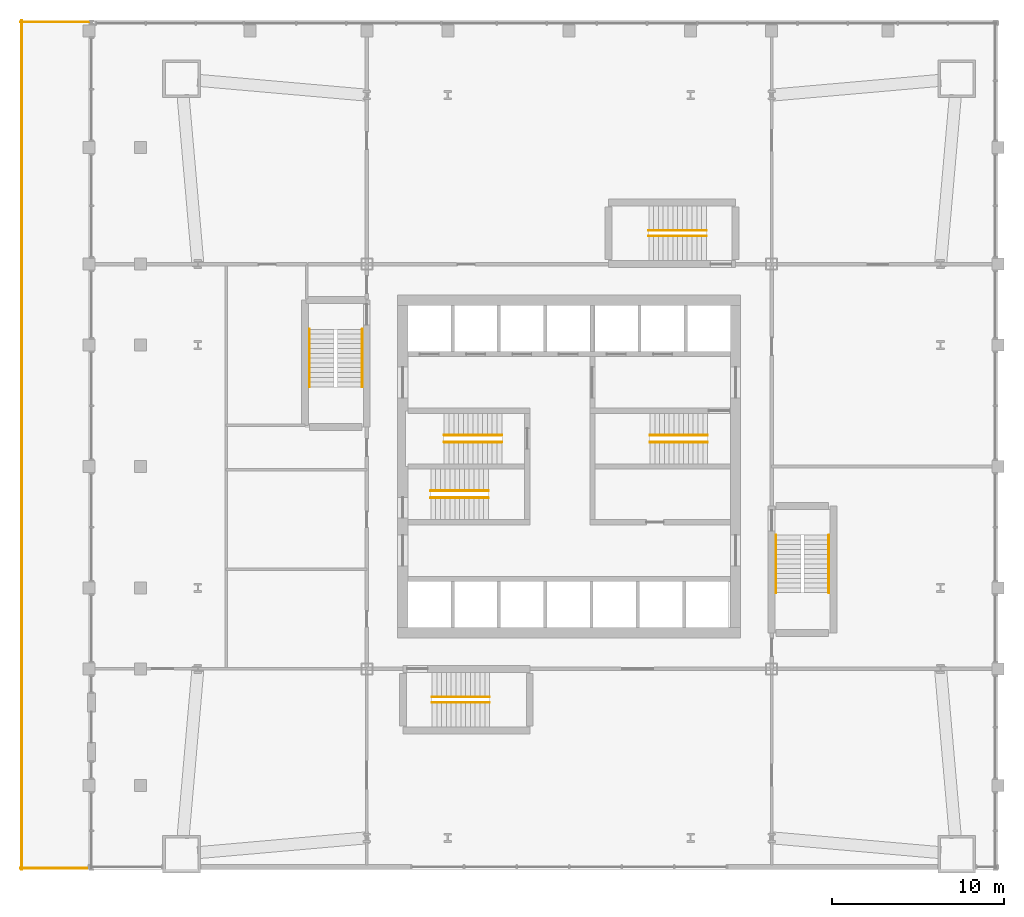
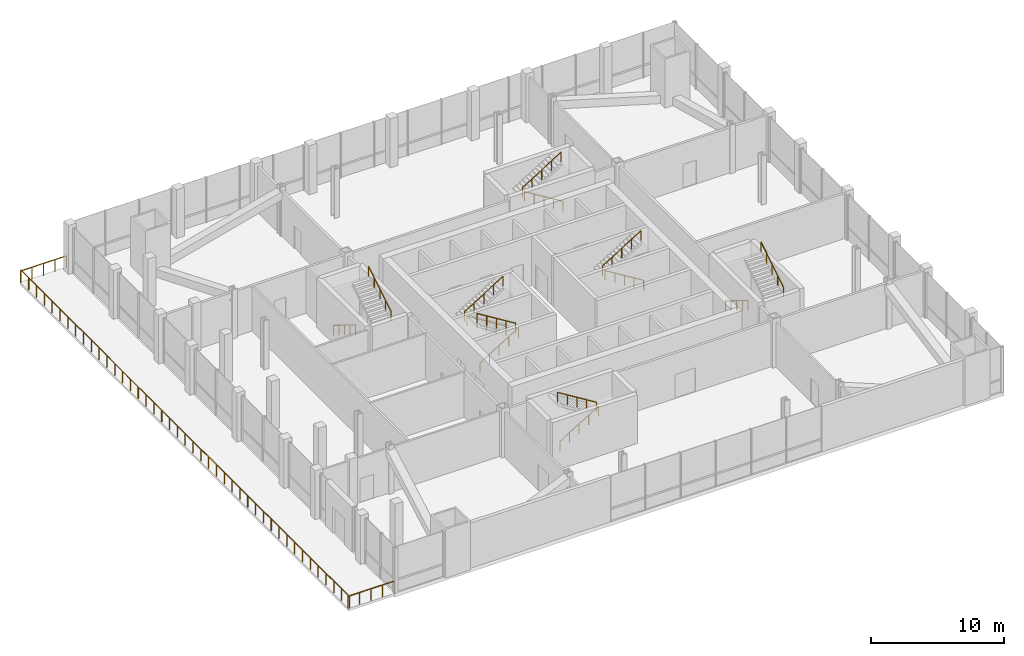
# One storey, part 15 of 15: 17 railings.
"""IFC4 building model written with IfcOpenShell, lengths in metres."""

from ifc_helpers import new_model, si_unit, direction, frame, origin, origin_2d, place, context, subcontext, project, spatial, circle, extrude, material, type_object, element, save


model = new_model("IFC4")

# Units and contexts
model_context = context("Model", 3, precision=1e-05, world=origin(), true_north=direction((0.0, 1.0)))
body_context = subcontext(model_context, "Body", "Model", "MODEL_VIEW")
ifc_project = project(units=[si_unit("LENGTHUNIT", "METRE"), si_unit("AREAUNIT", "SQUARE_METRE"), si_unit("VOLUMEUNIT", "CUBIC_METRE"), si_unit("PLANEANGLEUNIT", "RADIAN"), si_unit("MASSUNIT", "GRAM", prefix="KILO")], contexts=[model_context])

# Site, building, storey
site_placement = place(None, origin())
site = spatial("IfcSite", under=ifc_project, at=site_placement, CompositionType="ELEMENT")
building_placement = place(site_placement, origin())
building = spatial("IfcBuilding", under=site, at=building_placement, Name="Turquesa Mirador Hotel Tower", CompositionType="ELEMENT")
storey_placement = place(building_placement, frame((0.0, 0.0, 16.0)))
storey = spatial("IfcBuildingStorey", under=building, at=storey_placement, Name="L03", CompositionType="ELEMENT", Elevation=16.0)

# Railings
ifc_material_1 = material(Name="Bronze-finish steel and laminated glass", Category="steel")
railing_type_1 = type_object("IfcRailingType", Name="GUARD 1100 BRONZE AND GLASS", PredefinedType="GUARDRAIL", material=ifc_material_1)
railing_1_placement = place(storey_placement, frame((23.080078125, 21.5, 0.0)))
element("IfcRailing", 1, at=railing_1_placement, inside=storey, type_object=railing_type_1, Name="Terrace guard L03", PredefinedType="GUARDRAIL", context=body_context, shape_type="SweptSolid", body=[
    extrude(circle(Radius=0.02392578125, at=origin_2d()), frame((0.0, 0.0, 1.076171875), z_axis=(0.0, 1.0, 0.0), x_axis=(-1.0, 0.0, 0.0)), (0.0, 0.0, 1.0), 49.5),
    extrude(circle(Radius=0.02099609375, at=origin_2d()), origin(), (0.0, 0.0, 1.0), 1.052001953125),
    extrude(circle(Radius=0.02099609375, at=origin_2d()), frame((0.0, 1.178466796875, 0.0)), (0.0, 0.0, 1.0), 1.052001953125),
    extrude(circle(Radius=0.02099609375, at=origin_2d()), frame((0.0, 2.357177734375, 0.0)), (0.0, 0.0, 1.0), 1.052001953125),
    extrude(circle(Radius=0.02099609375, at=origin_2d()), frame((0.0, 3.53564453125, 0.0)), (0.0, 0.0, 1.0), 1.052001953125),
    extrude(circle(Radius=0.02099609375, at=origin_2d()), frame((0.0, 4.71435546875, 0.0)), (0.0, 0.0, 1.0), 1.052001953125),
    extrude(circle(Radius=0.02099609375, at=origin_2d()), frame((0.0, 5.892822265625, 0.0)), (0.0, 0.0, 1.0), 1.052001953125),
    extrude(circle(Radius=0.02099609375, at=origin_2d()), frame((0.0, 7.071533203125, 0.0)), (0.0, 0.0, 1.0), 1.052001953125),
    extrude(circle(Radius=0.02099609375, at=origin_2d()), frame((0.0, 8.25, 0.0)), (0.0, 0.0, 1.0), 1.052001953125),
    extrude(circle(Radius=0.02099609375, at=origin_2d()), frame((0.0, 9.428466796875, 0.0)), (0.0, 0.0, 1.0), 1.052001953125),
    extrude(circle(Radius=0.02099609375, at=origin_2d()), frame((0.0, 10.607177734375, 0.0)), (0.0, 0.0, 1.0), 1.052001953125),
    extrude(circle(Radius=0.02099609375, at=origin_2d()), frame((0.0, 11.78564453125, 0.0)), (0.0, 0.0, 1.0), 1.052001953125),
    extrude(circle(Radius=0.02099609375, at=origin_2d()), frame((0.0, 12.96435546875, 0.0)), (0.0, 0.0, 1.0), 1.052001953125),
    extrude(circle(Radius=0.02099609375, at=origin_2d()), frame((0.0, 14.142822265625, 0.0)), (0.0, 0.0, 1.0), 1.052001953125),
    extrude(circle(Radius=0.02099609375, at=origin_2d()), frame((0.0, 15.321533203125, 0.0)), (0.0, 0.0, 1.0), 1.052001953125),
    extrude(circle(Radius=0.02099609375, at=origin_2d()), frame((0.0, 16.5, 0.0)), (0.0, 0.0, 1.0), 1.052001953125),
    extrude(circle(Radius=0.02099609375, at=origin_2d()), frame((0.0, 17.678466796875, 0.0)), (0.0, 0.0, 1.0), 1.052001953125),
    extrude(circle(Radius=0.02099609375, at=origin_2d()), frame((0.0, 18.857177734375, 0.0)), (0.0, 0.0, 1.0), 1.052001953125),
    extrude(circle(Radius=0.02099609375, at=origin_2d()), frame((0.0, 20.03564453125, 0.0)), (0.0, 0.0, 1.0), 1.052001953125),
    extrude(circle(Radius=0.02099609375, at=origin_2d()), frame((0.0, 21.21435546875, 0.0)), (0.0, 0.0, 1.0), 1.052001953125),
    extrude(circle(Radius=0.02099609375, at=origin_2d()), frame((0.0, 22.392822265625, 0.0)), (0.0, 0.0, 1.0), 1.052001953125),
    extrude(circle(Radius=0.02099609375, at=origin_2d()), frame((0.0, 23.571533203125, 0.0)), (0.0, 0.0, 1.0), 1.052001953125),
    extrude(circle(Radius=0.02099609375, at=origin_2d()), frame((0.0, 24.75, 0.0)), (0.0, 0.0, 1.0), 1.052001953125),
    extrude(circle(Radius=0.02099609375, at=origin_2d()), frame((0.0, 25.928466796875, 0.0)), (0.0, 0.0, 1.0), 1.052001953125),
    extrude(circle(Radius=0.02099609375, at=origin_2d()), frame((0.0, 27.107177734375, 0.0)), (0.0, 0.0, 1.0), 1.052001953125),
    extrude(circle(Radius=0.02099609375, at=origin_2d()), frame((0.0, 28.28564453125, 0.0)), (0.0, 0.0, 1.0), 1.052001953125),
    extrude(circle(Radius=0.02099609375, at=origin_2d()), frame((0.0, 29.46435546875, 0.0)), (0.0, 0.0, 1.0), 1.052001953125),
    extrude(circle(Radius=0.02099609375, at=origin_2d()), frame((0.0, 30.642822265625, 0.0)), (0.0, 0.0, 1.0), 1.052001953125),
    extrude(circle(Radius=0.02099609375, at=origin_2d()), frame((0.0, 31.821533203125, 0.0)), (0.0, 0.0, 1.0), 1.052001953125),
    extrude(circle(Radius=0.02099609375, at=origin_2d()), frame((0.0, 33.0, 0.0)), (0.0, 0.0, 1.0), 1.052001953125),
    extrude(circle(Radius=0.02099609375, at=origin_2d()), frame((0.0, 34.178466796875, 0.0)), (0.0, 0.0, 1.0), 1.052001953125),
    extrude(circle(Radius=0.02099609375, at=origin_2d()), frame((0.0, 35.357177734375, 0.0)), (0.0, 0.0, 1.0), 1.052001953125),
    extrude(circle(Radius=0.02099609375, at=origin_2d()), frame((0.0, 36.53564453125, 0.0)), (0.0, 0.0, 1.0), 1.052001953125),
    extrude(circle(Radius=0.02099609375, at=origin_2d()), frame((0.0, 37.71435546875, 0.0)), (0.0, 0.0, 1.0), 1.052001953125),
    extrude(circle(Radius=0.02099609375, at=origin_2d()), frame((0.0, 38.892822265625, 0.0)), (0.0, 0.0, 1.0), 1.052001953125),
    extrude(circle(Radius=0.02099609375, at=origin_2d()), frame((0.0, 40.071533203125, 0.0)), (0.0, 0.0, 1.0), 1.052001953125),
    extrude(circle(Radius=0.02099609375, at=origin_2d()), frame((0.0, 41.25, 0.0)), (0.0, 0.0, 1.0), 1.052001953125),
    extrude(circle(Radius=0.02099609375, at=origin_2d()), frame((0.0, 42.428466796875, 0.0)), (0.0, 0.0, 1.0), 1.052001953125),
    extrude(circle(Radius=0.02099609375, at=origin_2d()), frame((0.0, 43.607177734375, 0.0)), (0.0, 0.0, 1.0), 1.052001953125),
    extrude(circle(Radius=0.02099609375, at=origin_2d()), frame((0.0, 44.78564453125, 0.0)), (0.0, 0.0, 1.0), 1.052001953125),
    extrude(circle(Radius=0.02099609375, at=origin_2d()), frame((0.0, 45.96435546875, 0.0)), (0.0, 0.0, 1.0), 1.052001953125),
    extrude(circle(Radius=0.02099609375, at=origin_2d()), frame((0.0, 47.142822265625, 0.0)), (0.0, 0.0, 1.0), 1.052001953125),
    extrude(circle(Radius=0.02099609375, at=origin_2d()), frame((0.0, 48.321533203125, 0.0)), (0.0, 0.0, 1.0), 1.052001953125),
    extrude(circle(Radius=0.02099609375, at=origin_2d()), frame((0.0, 49.5, 0.0)), (0.0, 0.0, 1.0), 1.052001953125),
])
railing_2_placement = place(storey_placement, frame((23.0, 70.919921875, 0.0)))
element("IfcRailing", 2, at=railing_2_placement, inside=storey, type_object=railing_type_1, Name="Terrace guard L03", PredefinedType="GUARDRAIL", context=body_context, shape_type="SweptSolid", body=[
    extrude(circle(Radius=0.02392578125, at=origin_2d()), frame((0.0, 0.0, 1.076171875), z_axis=(1.0, 0.0, 0.0), x_axis=(0.0, 1.0, 0.0)), (0.0, 0.0, 1.0), 4.0),
    extrude(circle(Radius=0.02099609375, at=origin_2d()), origin(), (0.0, 0.0, 1.0), 1.052001953125),
    extrude(circle(Radius=0.02099609375, at=origin_2d()), frame((1.0, 0.0, 0.0)), (0.0, 0.0, 1.0), 1.052001953125),
    extrude(circle(Radius=0.02099609375, at=origin_2d()), frame((2.0, 0.0, 0.0)), (0.0, 0.0, 1.0), 1.052001953125),
    extrude(circle(Radius=0.02099609375, at=origin_2d()), frame((3.0, 0.0, 0.0)), (0.0, 0.0, 1.0), 1.052001953125),
    extrude(circle(Radius=0.02099609375, at=origin_2d()), frame((4.0, 0.0, 0.0)), (0.0, 0.0, 1.0), 1.052001953125),
])
railing_3_placement = place(storey_placement, frame((27.0, 21.580078125, 0.0)))
element("IfcRailing", 3, at=railing_3_placement, inside=storey, type_object=railing_type_1, Name="Terrace guard L03", PredefinedType="GUARDRAIL", context=body_context, shape_type="SweptSolid", body=[
    extrude(circle(Radius=0.02392578125, at=origin_2d()), frame((0.0, 0.0, 1.076171875), z_axis=(-1.0, 0.0, 0.0), x_axis=(0.0, -1.0, 0.0)), (0.0, 0.0, 1.0), 4.0),
    extrude(circle(Radius=0.02099609375, at=origin_2d()), origin(), (0.0, 0.0, 1.0), 1.052001953125),
    extrude(circle(Radius=0.02099609375, at=origin_2d()), frame((-1.0, 0.0, 0.0)), (0.0, 0.0, 1.0), 1.052001953125),
    extrude(circle(Radius=0.02099609375, at=origin_2d()), frame((-2.0, 0.0, 0.0)), (0.0, 0.0, 1.0), 1.052001953125),
    extrude(circle(Radius=0.02099609375, at=origin_2d()), frame((-3.0, 0.0, 0.0)), (0.0, 0.0, 1.0), 1.052001953125),
    extrude(circle(Radius=0.02099609375, at=origin_2d()), frame((-4.0, 0.0, 0.0)), (0.0, 0.0, 1.0), 1.052001953125),
])
ifc_material_2 = material(Name="Painted steel handrail", Category="steel")
railing_type_2 = type_object("IfcRailingType", Name="HANDRAIL 900 STEEL", PredefinedType="HANDRAIL", material=ifc_material_2)
railing_4_placement = place(storey_placement, frame((51.070068359375, 46.419921875, 0.173095703125)))
element("IfcRailing", 4, at=railing_4_placement, inside=storey, type_object=railing_type_2, Name="Handrail ST1", PredefinedType="HANDRAIL", context=body_context, shape_type="SweptSolid", body=[
    extrude(circle(Radius=0.02392578125, at=origin_2d()), frame((0.0, 0.0, 0.8759765625), z_axis=(-0.850623216509, 0.0, 0.525775754039), x_axis=(0.0, -1.0, 0.0)), (0.0, 0.0, 1.0), 3.9501953125),
    extrude(circle(Radius=0.02099609375, at=origin_2d()), origin(), (0.0, 0.0, 1.0), 0.851806640625),
    extrude(circle(Radius=0.02099609375, at=origin_2d()), frame((-0.840087890625, 0.0, 0.519287109375)), (0.0, 0.0, 1.0), 0.851806640625),
    extrude(circle(Radius=0.02099609375, at=origin_2d()), frame((-1.68017578125, 0.0, 1.03857421875)), (0.0, 0.0, 1.0), 0.851806640625),
    extrude(circle(Radius=0.02099609375, at=origin_2d()), frame((-2.52001953125, 0.0, 1.5576171875)), (0.0, 0.0, 1.0), 0.851806640625),
    extrude(circle(Radius=0.02099609375, at=origin_2d()), frame((-3.360107421875, 0.0, 2.076904296875)), (0.0, 0.0, 1.0), 0.851806640625),
])
for number, where, name in (
    (5, (47.7099609375, 46.830078125, 2.423095703125), "Handrail ST1"),
    (6, (46.929931640625, 43.169921875, 0.173095703125), "Handrail ST2"),
):
    element("IfcRailing", number, at=place(storey_placement, frame(where)), inside=storey, type_object=railing_type_2, Name=name, PredefinedType="HANDRAIL", context=body_context, shape_type="SweptSolid", body=[
        extrude(circle(Radius=0.02392578125, at=origin_2d()), frame((0.0, 0.0, 0.8759765625), z_axis=(0.850623216509, 0.0, 0.525775754039), x_axis=(0.0, 1.0, 0.0)), (0.0, 0.0, 1.0), 3.9501953125),
        extrude(circle(Radius=0.02099609375, at=origin_2d()), origin(), (0.0, 0.0, 1.0), 0.851806640625),
        extrude(circle(Radius=0.02099609375, at=origin_2d()), frame((0.840087890625, 0.0, 0.519287109375)), (0.0, 0.0, 1.0), 0.851806640625),
        extrude(circle(Radius=0.02099609375, at=origin_2d()), frame((1.68017578125, 0.0, 1.03857421875)), (0.0, 0.0, 1.0), 0.851806640625),
        extrude(circle(Radius=0.02099609375, at=origin_2d()), frame((2.52001953125, 0.0, 1.5576171875)), (0.0, 0.0, 1.0), 0.851806640625),
        extrude(circle(Radius=0.02099609375, at=origin_2d()), frame((3.360107421875, 0.0, 2.076904296875)), (0.0, 0.0, 1.0), 0.851806640625),
    ])
for number, where, name in (
    (7, (50.2900390625, 43.580078125, 2.423095703125), "Handrail ST2"),
    (8, (63.070068359375, 46.419921875, 0.173095703125), "Handrail ST3"),
):
    element("IfcRailing", number, at=place(storey_placement, frame(where)), inside=storey, type_object=railing_type_2, Name=name, PredefinedType="HANDRAIL", context=body_context, shape_type="SweptSolid", body=[
        extrude(circle(Radius=0.02392578125, at=origin_2d()), frame((0.0, 0.0, 0.8759765625), z_axis=(-0.850623216509, 0.0, 0.525775754039), x_axis=(0.0, -1.0, 0.0)), (0.0, 0.0, 1.0), 3.9501953125),
        extrude(circle(Radius=0.02099609375, at=origin_2d()), origin(), (0.0, 0.0, 1.0), 0.851806640625),
        extrude(circle(Radius=0.02099609375, at=origin_2d()), frame((-0.840087890625, 0.0, 0.519287109375)), (0.0, 0.0, 1.0), 0.851806640625),
        extrude(circle(Radius=0.02099609375, at=origin_2d()), frame((-1.68017578125, 0.0, 1.03857421875)), (0.0, 0.0, 1.0), 0.851806640625),
        extrude(circle(Radius=0.02099609375, at=origin_2d()), frame((-2.52001953125, 0.0, 1.5576171875)), (0.0, 0.0, 1.0), 0.851806640625),
        extrude(circle(Radius=0.02099609375, at=origin_2d()), frame((-3.360107421875, 0.0, 2.076904296875)), (0.0, 0.0, 1.0), 0.851806640625),
    ])
railing_5_placement = place(storey_placement, frame((59.7099609375, 46.830078125, 2.423095703125)))
element("IfcRailing", 9, at=railing_5_placement, inside=storey, type_object=railing_type_2, Name="Handrail ST3", PredefinedType="HANDRAIL", context=body_context, shape_type="SweptSolid", body=[
    extrude(circle(Radius=0.02392578125, at=origin_2d()), frame((0.0, 0.0, 0.8759765625), z_axis=(0.850623216509, 0.0, 0.525775754039), x_axis=(0.0, 1.0, 0.0)), (0.0, 0.0, 1.0), 3.9501953125),
    extrude(circle(Radius=0.02099609375, at=origin_2d()), origin(), (0.0, 0.0, 1.0), 0.851806640625),
    extrude(circle(Radius=0.02099609375, at=origin_2d()), frame((0.840087890625, 0.0, 0.519287109375)), (0.0, 0.0, 1.0), 0.851806640625),
    extrude(circle(Radius=0.02099609375, at=origin_2d()), frame((1.68017578125, 0.0, 1.03857421875)), (0.0, 0.0, 1.0), 0.851806640625),
    extrude(circle(Radius=0.02099609375, at=origin_2d()), frame((2.52001953125, 0.0, 1.5576171875)), (0.0, 0.0, 1.0), 0.851806640625),
    extrude(circle(Radius=0.02099609375, at=origin_2d()), frame((3.360107421875, 0.0, 2.076904296875)), (0.0, 0.0, 1.0), 0.851806640625),
])
railing_6_placement = place(storey_placement, frame((63.0, 58.43994140625, 0.173095703125)))
element("IfcRailing", 10, at=railing_6_placement, inside=storey, type_object=railing_type_2, Name="Handrail PS1", PredefinedType="HANDRAIL", context=body_context, shape_type="SweptSolid", body=[
    extrude(circle(Radius=0.02392578125, at=origin_2d()), frame((0.0, 0.0, 0.8759765625), z_axis=(-0.850623216509, 0.0, 0.525775754039), x_axis=(0.0, -1.0, 0.0)), (0.0, 0.0, 1.0), 3.9501953125),
    extrude(circle(Radius=0.02099609375, at=origin_2d()), origin(), (0.0, 0.0, 1.0), 0.851806640625),
    extrude(circle(Radius=0.02099609375, at=origin_2d()), frame((-0.840087890625, 0.0, 0.519287109375)), (0.0, 0.0, 1.0), 0.851806640625),
    extrude(circle(Radius=0.02099609375, at=origin_2d()), frame((-1.68017578125, 0.0, 1.03857421875)), (0.0, 0.0, 1.0), 0.851806640625),
    extrude(circle(Radius=0.02099609375, at=origin_2d()), frame((-2.52001953125, 0.0, 1.5576171875)), (0.0, 0.0, 1.0), 0.851806640625),
    extrude(circle(Radius=0.02099609375, at=origin_2d()), frame((-3.360107421875, 0.0, 2.076904296875)), (0.0, 0.0, 1.0), 0.851806640625),
])
for number, where, name in (
    (11, (59.639892578125, 58.760009765625, 2.423095703125), "Handrail PS1"),
    (12, (47.0, 31.239990234375, 0.173095703125), "Handrail PS2"),
):
    element("IfcRailing", number, at=place(storey_placement, frame(where)), inside=storey, type_object=railing_type_2, Name=name, PredefinedType="HANDRAIL", context=body_context, shape_type="SweptSolid", body=[
        extrude(circle(Radius=0.02392578125, at=origin_2d()), frame((0.0, 0.0, 0.8759765625), z_axis=(0.850623216509, 0.0, 0.525775754039), x_axis=(0.0, 1.0, 0.0)), (0.0, 0.0, 1.0), 3.9501953125),
        extrude(circle(Radius=0.02099609375, at=origin_2d()), origin(), (0.0, 0.0, 1.0), 0.851806640625),
        extrude(circle(Radius=0.02099609375, at=origin_2d()), frame((0.840087890625, 0.0, 0.519287109375)), (0.0, 0.0, 1.0), 0.851806640625),
        extrude(circle(Radius=0.02099609375, at=origin_2d()), frame((1.68017578125, 0.0, 1.03857421875)), (0.0, 0.0, 1.0), 0.851806640625),
        extrude(circle(Radius=0.02099609375, at=origin_2d()), frame((2.52001953125, 0.0, 1.5576171875)), (0.0, 0.0, 1.0), 0.851806640625),
        extrude(circle(Radius=0.02099609375, at=origin_2d()), frame((3.360107421875, 0.0, 2.076904296875)), (0.0, 0.0, 1.0), 0.851806640625),
    ])
railing_7_placement = place(storey_placement, frame((50.360107421875, 31.56005859375, 2.423095703125)))
element("IfcRailing", 13, at=railing_7_placement, inside=storey, type_object=railing_type_2, Name="Handrail PS2", PredefinedType="HANDRAIL", context=body_context, shape_type="SweptSolid", body=[
    extrude(circle(Radius=0.02392578125, at=origin_2d()), frame((0.0, 0.0, 0.8759765625), z_axis=(-0.850623216509, 0.0, 0.525775754039), x_axis=(0.0, -1.0, 0.0)), (0.0, 0.0, 1.0), 3.9501953125),
    extrude(circle(Radius=0.02099609375, at=origin_2d()), origin(), (0.0, 0.0, 1.0), 0.851806640625),
    extrude(circle(Radius=0.02099609375, at=origin_2d()), frame((-0.840087890625, 0.0, 0.519287109375)), (0.0, 0.0, 1.0), 0.851806640625),
    extrude(circle(Radius=0.02099609375, at=origin_2d()), frame((-1.68017578125, 0.0, 1.03857421875)), (0.0, 0.0, 1.0), 0.851806640625),
    extrude(circle(Radius=0.02099609375, at=origin_2d()), frame((-2.52001953125, 0.0, 1.5576171875)), (0.0, 0.0, 1.0), 0.851806640625),
    extrude(circle(Radius=0.02099609375, at=origin_2d()), frame((-3.360107421875, 0.0, 2.076904296875)), (0.0, 0.0, 1.0), 0.851806640625),
])
railing_8_placement = place(storey_placement, frame((67.06005859375, 41.0, 0.173095703125)))
element("IfcRailing", 14, at=railing_8_placement, inside=storey, type_object=railing_type_2, Name="Handrail PS3", PredefinedType="HANDRAIL", context=body_context, shape_type="SweptSolid", body=[
    extrude(circle(Radius=0.02392578125, at=origin_2d()), frame((0.0, 0.0, 0.8759765625), z_axis=(0.0, -0.850623216509, 0.525775754039), x_axis=(1.0, 0.0, 0.0)), (0.0, 0.0, 1.0), 3.9501953125),
    extrude(circle(Radius=0.02099609375, at=origin_2d()), origin(), (0.0, 0.0, 1.0), 0.851806640625),
    extrude(circle(Radius=0.02099609375, at=origin_2d()), frame((0.0, -0.840087890625, 0.519287109375)), (0.0, 0.0, 1.0), 0.851806640625),
    extrude(circle(Radius=0.02099609375, at=origin_2d()), frame((0.0, -1.68017578125, 1.03857421875)), (0.0, 0.0, 1.0), 0.851806640625),
    extrude(circle(Radius=0.02099609375, at=origin_2d()), frame((0.0, -2.52001953125, 1.5576171875)), (0.0, 0.0, 1.0), 0.851806640625),
    extrude(circle(Radius=0.02099609375, at=origin_2d()), frame((0.0, -3.360107421875, 2.076904296875)), (0.0, 0.0, 1.0), 0.851806640625),
])
railing_9_placement = place(storey_placement, frame((70.139892578125, 37.639892578125, 2.423095703125)))
element("IfcRailing", 15, at=railing_9_placement, inside=storey, type_object=railing_type_2, Name="Handrail PS3", PredefinedType="HANDRAIL", context=body_context, shape_type="SweptSolid", body=[
    extrude(circle(Radius=0.02392578125, at=origin_2d()), frame((0.0, 0.0, 0.8759765625), z_axis=(0.0, 0.850623216509, 0.525775754039), x_axis=(-1.0, 0.0, 0.0)), (0.0, 0.0, 1.0), 3.9501953125),
    extrude(circle(Radius=0.02099609375, at=origin_2d()), origin(), (0.0, 0.0, 1.0), 0.851806640625),
    extrude(circle(Radius=0.02099609375, at=origin_2d()), frame((0.0, 0.840087890625, 0.519287109375)), (0.0, 0.0, 1.0), 0.851806640625),
    extrude(circle(Radius=0.02099609375, at=origin_2d()), frame((0.0, 1.68017578125, 1.03857421875)), (0.0, 0.0, 1.0), 0.851806640625),
    extrude(circle(Radius=0.02099609375, at=origin_2d()), frame((0.0, 2.52001953125, 1.5576171875)), (0.0, 0.0, 1.0), 0.851806640625),
    extrude(circle(Radius=0.02099609375, at=origin_2d()), frame((0.0, 3.360107421875, 2.076904296875)), (0.0, 0.0, 1.0), 0.851806640625),
])
railing_10_placement = place(storey_placement, frame((39.860107421875, 53.0, 0.173095703125)))
element("IfcRailing", 16, at=railing_10_placement, inside=storey, type_object=railing_type_2, Name="Handrail PS4", PredefinedType="HANDRAIL", context=body_context, shape_type="SweptSolid", body=[
    extrude(circle(Radius=0.02392578125, at=origin_2d()), frame((0.0, 0.0, 0.8759765625), z_axis=(0.0, -0.850623216509, 0.525775754039), x_axis=(1.0, 0.0, 0.0)), (0.0, 0.0, 1.0), 3.9501953125),
    extrude(circle(Radius=0.02099609375, at=origin_2d()), origin(), (0.0, 0.0, 1.0), 0.851806640625),
    extrude(circle(Radius=0.02099609375, at=origin_2d()), frame((0.0, -0.840087890625, 0.519287109375)), (0.0, 0.0, 1.0), 0.851806640625),
    extrude(circle(Radius=0.02099609375, at=origin_2d()), frame((0.0, -1.68017578125, 1.03857421875)), (0.0, 0.0, 1.0), 0.851806640625),
    extrude(circle(Radius=0.02099609375, at=origin_2d()), frame((0.0, -2.52001953125, 1.5576171875)), (0.0, 0.0, 1.0), 0.851806640625),
    extrude(circle(Radius=0.02099609375, at=origin_2d()), frame((0.0, -3.360107421875, 2.076904296875)), (0.0, 0.0, 1.0), 0.851806640625),
])
railing_11_placement = place(storey_placement, frame((42.93994140625, 49.639892578125, 2.423095703125)))
element("IfcRailing", 17, at=railing_11_placement, inside=storey, type_object=railing_type_2, Name="Handrail PS4", PredefinedType="HANDRAIL", context=body_context, shape_type="SweptSolid", body=[
    extrude(circle(Radius=0.02392578125, at=origin_2d()), frame((0.0, 0.0, 0.8759765625), z_axis=(0.0, 0.850623216509, 0.525775754039), x_axis=(-1.0, 0.0, 0.0)), (0.0, 0.0, 1.0), 3.9501953125),
    extrude(circle(Radius=0.02099609375, at=origin_2d()), origin(), (0.0, 0.0, 1.0), 0.851806640625),
    extrude(circle(Radius=0.02099609375, at=origin_2d()), frame((0.0, 0.840087890625, 0.519287109375)), (0.0, 0.0, 1.0), 0.851806640625),
    extrude(circle(Radius=0.02099609375, at=origin_2d()), frame((0.0, 1.68017578125, 1.03857421875)), (0.0, 0.0, 1.0), 0.851806640625),
    extrude(circle(Radius=0.02099609375, at=origin_2d()), frame((0.0, 2.52001953125, 1.5576171875)), (0.0, 0.0, 1.0), 0.851806640625),
    extrude(circle(Radius=0.02099609375, at=origin_2d()), frame((0.0, 3.360107421875, 2.076904296875)), (0.0, 0.0, 1.0), 0.851806640625),
])

save(model, "model.ifc")
